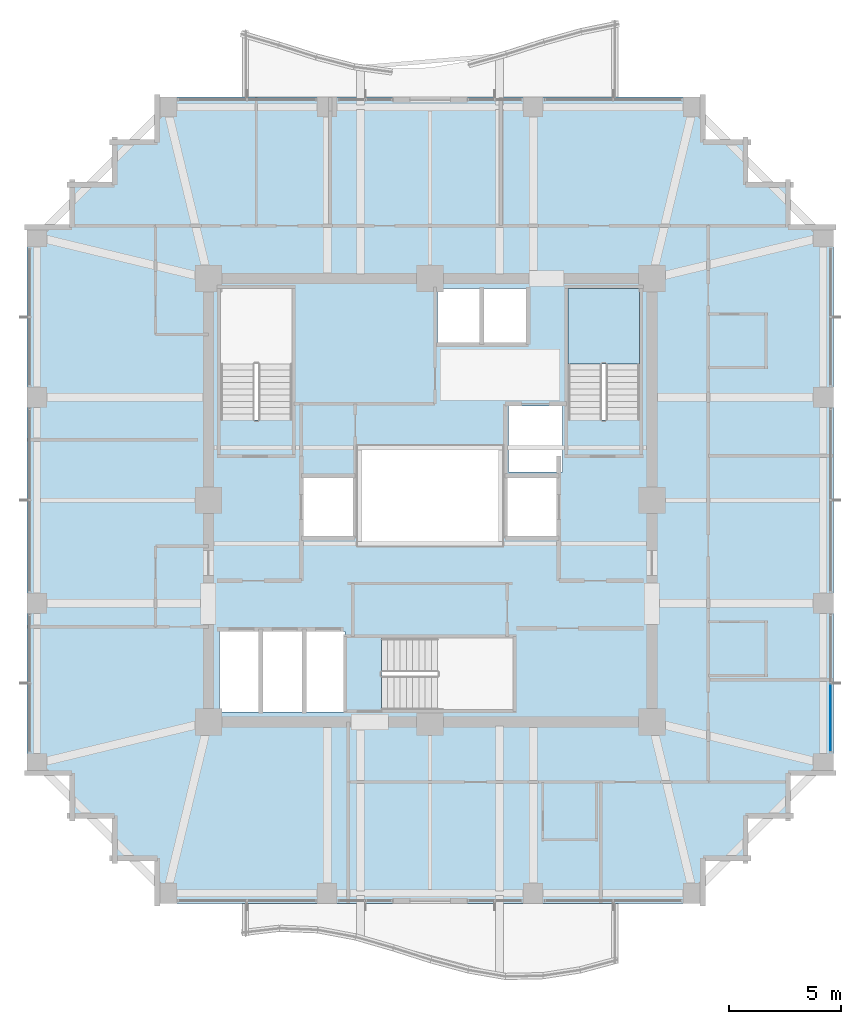
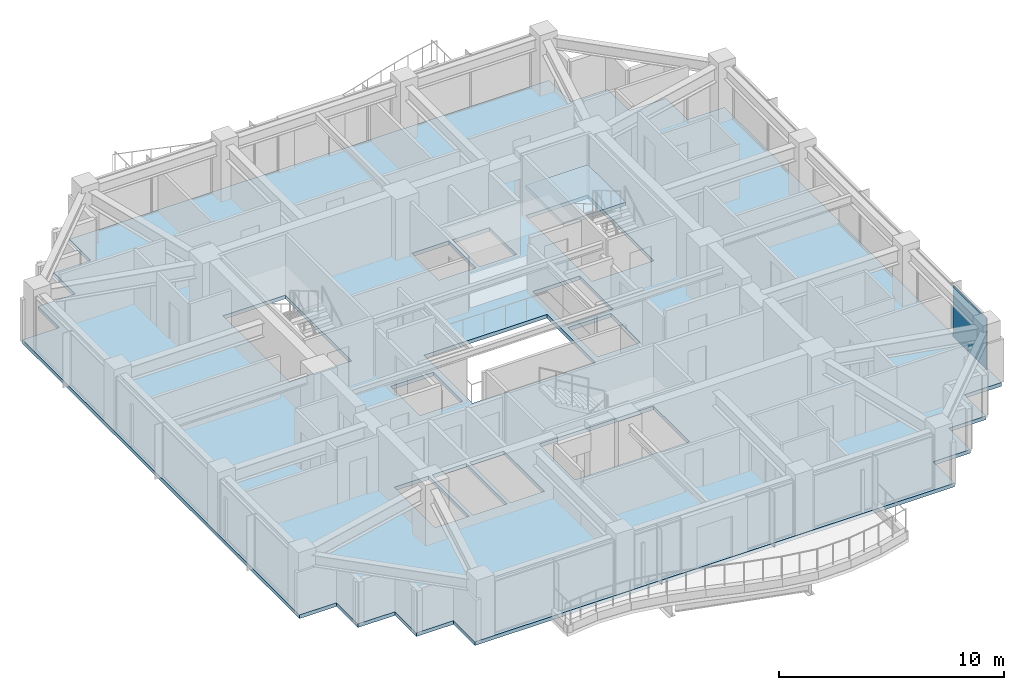
# One storey, part 24 of 31: 2 slabs, 1 plate, 2 elements without a shape of their own.
"""IFC4 building model written with IfcOpenShell, lengths in metres."""

from ifc_helpers import new_model, si_unit, direction, frame, origin, origin_2d, place, context, subcontext, project, spatial, polyline, rectangle, outline, extrude, material, layer, layer_set, type_object, element, aggregate, save


model = new_model("IFC4")

# Units and contexts
model_context = context("Model", 3, precision=1e-05, world=origin(), true_north=direction((0.0, 1.0)))
body_context = subcontext(model_context, "Body", "Model", "MODEL_VIEW")
ifc_project = project(units=[si_unit("LENGTHUNIT", "METRE"), si_unit("AREAUNIT", "SQUARE_METRE"), si_unit("VOLUMEUNIT", "CUBIC_METRE"), si_unit("PLANEANGLEUNIT", "RADIAN"), si_unit("MASSUNIT", "GRAM", prefix="KILO")], contexts=[model_context])

# Site, building, storey
site_placement = place(None, origin())
site = spatial("IfcSite", under=ifc_project, at=site_placement, CompositionType="ELEMENT")
building_placement = place(site_placement, origin())
building = spatial("IfcBuilding", under=site, at=building_placement, Name="Kolvaren Belvedere", CompositionType="ELEMENT")
storey_placement = place(building_placement, frame((0.0, 0.0, 144.800048828125)))
storey = spatial("IfcBuildingStorey", under=building, at=storey_placement, Name="L42", CompositionType="ELEMENT", Elevation=144.800048828125)

# Curtain wall, plate
ifc_material_1 = material(Name="Anodised pale-metal aluminium AA 6063-T6", Category="aluminium")
curtain_wall_type = type_object("IfcCurtainWallType", Name="CW-Z3-WAIST", PredefinedType="NOTDEFINED", material=ifc_material_1)
curtain_wall_placement = place(storey_placement, origin())
curtain_wall = element("IfcCurtainWall", 1, at=curtain_wall_placement, inside=storey, type_object=curtain_wall_type, Name="L42 Unitised Curtain Wall FCW-L42-E-B3", PredefinedType="NOTDEFINED")
ifc_material_2 = material(Name="Low-iron triple insulated glass", Category="glass")
ifc_layer_1 = layer(ifc_material_2, 0.028076171875)
ifc_layer_set_1 = layer_set([ifc_layer_1], Name="Low-iron triple insulated glass")
plate_type = type_object("IfcPlateType", Name="CW-PNL-VIS28", PredefinedType="CURTAIN_PANEL", material=ifc_layer_set_1)
plate_placement = place(storey_placement, frame((17.8798828125, -9.711181640625, 0.079833984375), z_axis=(0.0, 0.0, 1.0), x_axis=(0.0, -1.0, 0.0)))
plate = element("IfcPlate", 2, at=plate_placement, type_object=plate_type, Name="FCW-L42-E-B3 Vision Glazing Panel 2", PredefinedType="CURTAIN_PANEL", context=body_context, shape_type="SweptSolid", body=[
    extrude(rectangle(XDim=2.992431640625, YDim=0.028076171875, at=origin_2d()), origin(), (0.0, 0.0, 1.0), 2.7900390625),
])
aggregate(curtain_wall, [plate])

# Slab
ifc_material_3 = material(Name="Concrete C50/60", Category="concrete")
ifc_layer_2 = layer(ifc_material_3, 0.199951171875)
ifc_layer_set_2 = layer_set([ifc_layer_2], Name="Concrete C50/60")
slab_type_1 = type_object("IfcSlabType", Name="SL-FLR-200", PredefinedType="FLOOR", material=ifc_layer_set_2)
slab_1_placement = place(storey_placement, frame((0.0, 0.0, -0.199951171875)))
element("IfcSlab", 3, at=slab_1_placement, inside=storey, type_object=slab_type_1, Name="L42 Primary Structural Slab", PredefinedType="FLOOR", context=body_context, shape_type="SweptSolid", body=[
    extrude(outline(polyline([(-12.300048828125, -18.0), (12.300048828125, -18.0), (12.300048828125, -16.10009765625), (14.199951171875, -16.10009765625), (14.199951171875, -14.199951171875), (16.10009765625, -14.199951171875), (16.10009765625, -12.300048828125), (18.0, -12.300048828125), (18.0, 12.300048828125), (16.10009765625, 12.300048828125), (16.10009765625, 14.199951171875), (14.199951171875, 14.199951171875), (14.199951171875, 16.10009765625), (12.300048828125, 16.10009765625), (12.300048828125, 18.0), (-12.300048828125, 18.0), (-12.300048828125, 16.10009765625), (-14.199951171875, 16.10009765625), (-14.199951171875, 14.199951171875), (-16.10009765625, 14.199951171875), (-16.10009765625, 12.300048828125), (-18.0, 12.300048828125), (-18.0, -12.300048828125), (-16.10009765625, -12.300048828125), (-16.10009765625, -14.199951171875), (-14.199951171875, -14.199951171875), (-14.199951171875, -16.10009765625), (-12.300048828125, -16.10009765625), (-12.300048828125, -18.0)]), holes=[polyline([(-9.35009765625, 3.580078125), (-6.159912109375, 3.580078125), (-6.159912109375, 9.449951171875), (-9.35009765625, 9.449951171875), (-9.35009765625, 3.580078125)]), polyline([(6.159912109375, 3.580078125), (9.35009765625, 3.580078125), (9.35009765625, 9.449951171875), (6.159912109375, 9.449951171875), (6.159912109375, 3.580078125)]), polyline([(-2.169921875, -9.35009765625), (3.699951171875, -9.35009765625), (3.699951171875, -6.159912109375), (-2.169921875, -6.159912109375), (-2.169921875, -9.35009765625)]), polyline([(-5.64990234375, -1.60009765625), (-3.449951171875, -1.60009765625), (-3.449951171875, 1.0), (-5.64990234375, 1.0), (-5.64990234375, -1.60009765625)]), polyline([(3.5, 1.25), (5.89990234375, 1.25), (5.89990234375, 4.199951171875), (3.5, 4.199951171875), (3.5, 1.25)]), polyline([(3.449951171875, -1.60009765625), (5.64990234375, -1.60009765625), (5.64990234375, 1.0), (3.449951171875, 1.0), (3.449951171875, -1.60009765625)]), polyline([(-9.39990234375, -9.449951171875), (-7.64990234375, -9.449951171875), (-7.64990234375, -5.85009765625), (-9.39990234375, -5.85009765625), (-9.39990234375, -9.449951171875)]), polyline([(-7.469970703125, -9.449951171875), (-5.719970703125, -9.449951171875), (-5.719970703125, -5.85009765625), (-7.469970703125, -5.85009765625), (-7.469970703125, -9.449951171875)]), polyline([(-5.5400390625, -9.449951171875), (-3.7900390625, -9.449951171875), (-3.7900390625, -5.85009765625), (-5.5400390625, -5.85009765625), (-5.5400390625, -9.449951171875)]), polyline([(0.320068359375, 7.050048828125), (2.219970703125, 7.050048828125), (2.219970703125, 9.449951171875), (0.320068359375, 9.449951171875), (0.320068359375, 7.050048828125)]), polyline([(2.39990234375, 7.050048828125), (4.300048828125, 7.050048828125), (4.300048828125, 9.449951171875), (2.39990234375, 9.449951171875), (2.39990234375, 7.050048828125)]), polyline([(-3.14990234375, -1.949951171875), (3.14990234375, -1.949951171875), (3.14990234375, 2.35009765625), (-3.14990234375, 2.35009765625), (-3.14990234375, -1.949951171875)])]), origin(), (0.0, 0.0, 1.0), 0.199951171875),
])

# Stair, slab
ifc_material_4 = material(Name="Concrete C50/60", Category="concrete")
stair_type = type_object("IfcStairType", Name="ST-CORE-1520", PredefinedType="HALF_TURN_STAIR", material=ifc_material_4)
stair_placement = place(storey_placement, origin())
stair = element("IfcStair", 4, at=stair_placement, inside=storey, type_object=stair_type, Name="L42 Protected Exit Stair ST-2", PredefinedType="HALF_TURN_STAIR")
ifc_material_5 = material(Name="Concrete C50/60", Category="concrete")
ifc_layer_3 = layer(ifc_material_5, 0.260009765625)
ifc_layer_set_3 = layer_set([ifc_layer_3], Name="Concrete C50/60")
slab_type_2 = type_object("IfcSlabType", Name="SL-LAND-260", PredefinedType="LANDING", material=ifc_layer_set_3)
slab_2_placement = place(storey_placement, frame((0.0, 0.0, 1.449951171875)))
slab_2 = element("IfcSlab", 5, at=slab_2_placement, type_object=slab_type_2, Name="ST-2 landing 1", PredefinedType="LANDING", context=body_context, shape_type="SweptSolid", body=[
    extrude(outline(polyline([(9.35009765625, 6.090087890625), (9.35009765625, 9.449951171875), (6.159912109375, 9.449951171875), (6.159912109375, 6.090087890625), (9.35009765625, 6.090087890625)])), origin(), (0.0, 0.0, 1.0), 0.199951171875),
])
aggregate(stair, [slab_2])

save(model, "model.ifc")
